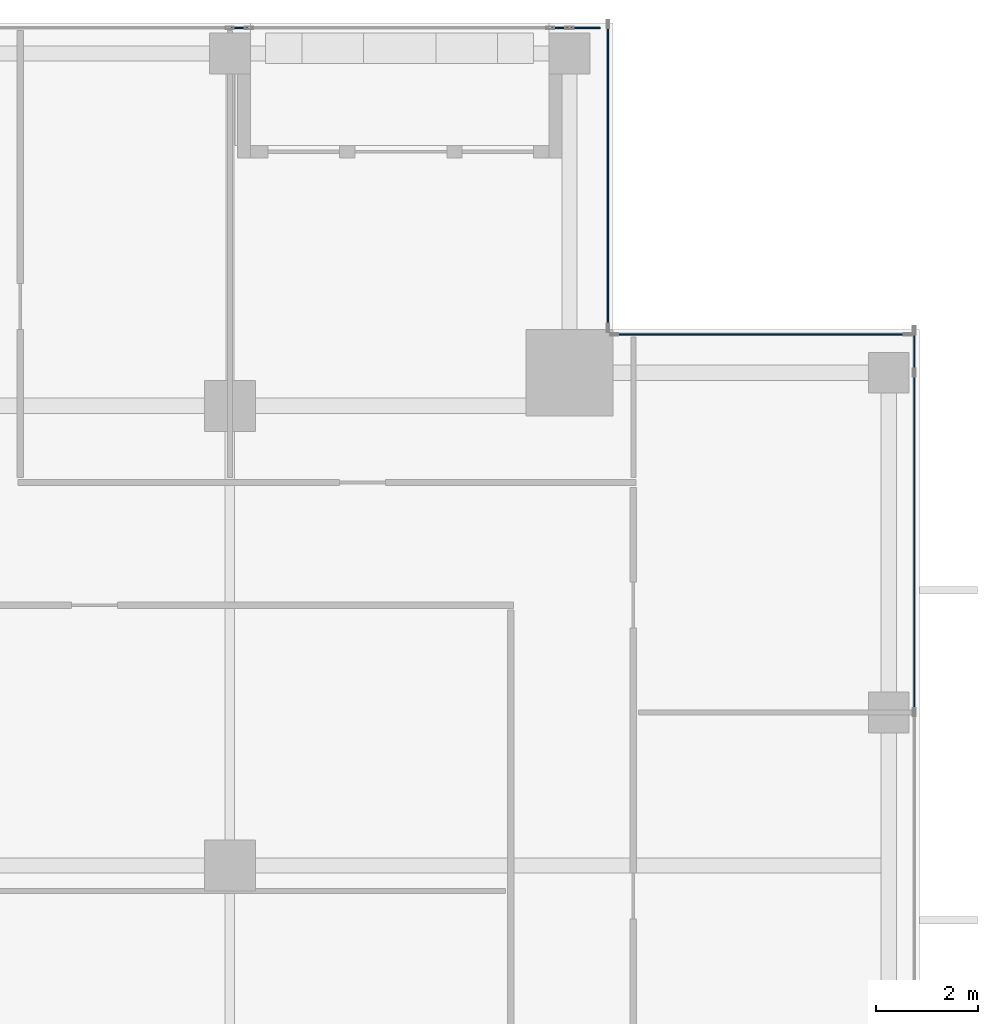
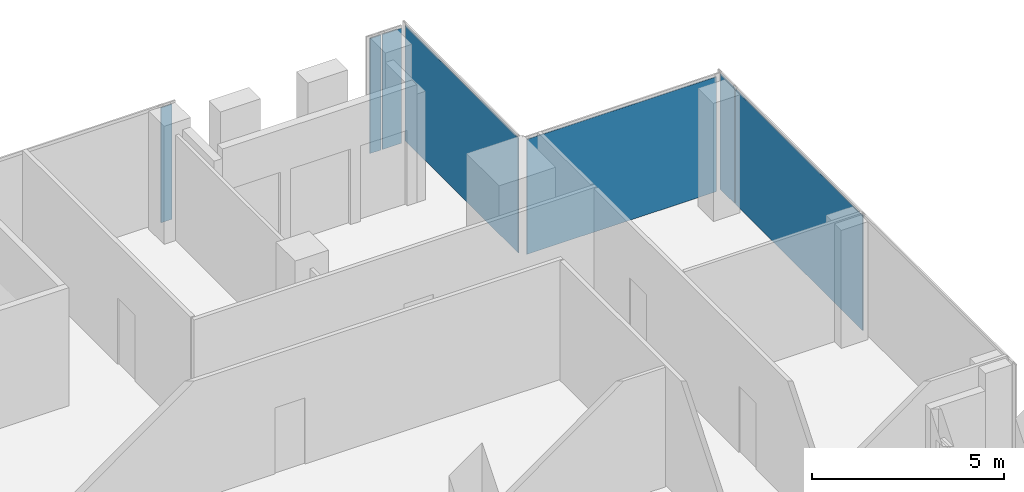
# One storey, part 23 of 29: 7 plates, 5 elements without a shape of their own.
"""IFC4 building model written with IfcOpenShell, lengths in metres."""

from ifc_helpers import new_model, si_unit, direction, frame, origin, origin_2d, place, context, subcontext, project, spatial, rectangle, extrude, source, transform, mapped, material, layer, layer_set, type_object, element, aggregate, save


model = new_model("IFC4")

# Units and contexts
model_context = context("Model", 3, precision=1e-05, world=origin(), true_north=direction((0.0, 1.0)))
body_context = subcontext(model_context, "Body", "Model", "MODEL_VIEW")
ifc_project = project(units=[si_unit("LENGTHUNIT", "METRE"), si_unit("AREAUNIT", "SQUARE_METRE"), si_unit("VOLUMEUNIT", "CUBIC_METRE"), si_unit("PLANEANGLEUNIT", "RADIAN"), si_unit("MASSUNIT", "GRAM", prefix="KILO")], contexts=[model_context])

# Site, building, storey
site_placement = place(None, origin())
site = spatial("IfcSite", under=ifc_project, at=site_placement, CompositionType="ELEMENT")
building_placement = place(site_placement, origin())
building = spatial("IfcBuilding", under=site, at=building_placement, Name="Khomas Fold Tower", CompositionType="ELEMENT")
storey_placement = place(building_placement, frame((0.0, 0.0, 286.199951171875)))
storey = spatial("IfcBuildingStorey", under=building, at=storey_placement, Name="L64", CompositionType="ELEMENT", Elevation=286.199951171875)

# Curtain wall, plate
ifc_material_1 = material(Name="Aluminium framed double glazing", Category="aluminium")
curtain_wall_type = type_object("IfcCurtainWallType", Name="SK-Unitised clear-glass wall, upper floors CW3", PredefinedType="NOTDEFINED", material=ifc_material_1)
curtain_wall_1_placement = place(storey_placement, origin())
curtain_wall_1 = element("IfcCurtainWall", 1, at=curtain_wall_1_placement, inside=storey, type_object=curtain_wall_type, Name="CW3 run L64 06-0", PredefinedType="NOTDEFINED")
ifc_material_2 = material(Name="Clear double glazed unit")
ifc_layer = layer(ifc_material_2, 0.028076171875)
ifc_layer_set = layer_set([ifc_layer], Name="Clear double glazed unit")
plate_type = type_object("IfcPlateType", Name="SK-Unitised clear-glass wall, upper floors glass panel CW3-P", PredefinedType="CURTAIN_PANEL", material=ifc_layer_set)
shared_shape_1 = source(origin(), body_context, "Body", "SweptSolid", [
    extrude(rectangle(XDim=0.574951171875, YDim=0.028076171875, at=origin_2d()), origin(), (0.0, 0.0, 1.0), 3.64990234375),
])
plate_1_placement = place(storey_placement, frame((41.46240234375, 47.89990234375, 0.0), z_axis=(0.0, 0.0, 1.0), x_axis=(-1.0, 0.0, 0.0)))
plate_1 = element("IfcPlate", 2, at=plate_1_placement, type_object=plate_type, Name="CW3 glass panel 1", PredefinedType="CURTAIN_PANEL", context=body_context, shape_type="MappedRepresentation", body=[
    mapped(shared_shape_1, transform((0.0, 0.0, 0.0))),
])

# Curtain wall, plates
curtain_wall_2_placement = place(storey_placement, origin())
curtain_wall_2 = element("IfcCurtainWall", 3, at=curtain_wall_2_placement, inside=storey, type_object=curtain_wall_type, Name="CW3 run L64 03-1", PredefinedType="NOTDEFINED")
shared_shape_2 = source(origin(), body_context, "Body", "SweptSolid", [
    extrude(rectangle(XDim=6.60009765625, YDim=0.028076171875, at=origin_2d()), origin(), (0.0, 0.0, 1.0), 3.64990234375),
])
plate_2_placement = place(storey_placement, frame((47.89990234375, 37.824951171875, 0.0), z_axis=(0.0, 0.0, 1.0), x_axis=(0.0, 1.0, 0.0)))
plate_2 = element("IfcPlate", 4, at=plate_2_placement, type_object=plate_type, Name="CW3 glass panel 3", PredefinedType="CURTAIN_PANEL", context=body_context, shape_type="MappedRepresentation", body=[
    mapped(shared_shape_2, transform((0.0, 0.0, 0.0))),
])
shared_shape_3 = source(origin(), body_context, "Body", "SweptSolid", [
    extrude(rectangle(XDim=0.77490234375, YDim=0.028076171875, at=origin_2d()), origin(), (0.0, 0.0, 1.0), 3.64990234375),
])
plate_3_placement = place(storey_placement, frame((47.89990234375, 41.5625, 0.0), z_axis=(0.0, 0.0, 1.0), x_axis=(0.0, 1.0, 0.0)))
plate_3 = element("IfcPlate", 5, at=plate_3_placement, type_object=plate_type, Name="CW3 glass panel 4", PredefinedType="CURTAIN_PANEL", context=body_context, shape_type="MappedRepresentation", body=[
    mapped(shared_shape_3, transform((0.0, 0.0, 0.0))),
])
aggregate(curtain_wall_2, [plate_2, plate_3])

# Curtain wall, plate
curtain_wall_3_placement = place(storey_placement, origin())
curtain_wall_3 = element("IfcCurtainWall", 6, at=curtain_wall_3_placement, inside=storey, type_object=curtain_wall_type, Name="CW3 corner return L64 04", PredefinedType="NOTDEFINED")
shared_shape_4 = source(origin(), body_context, "Body", "SweptSolid", [
    extrude(rectangle(XDim=5.699951171875, YDim=0.028076171875, at=origin_2d()), origin(), (0.0, 0.0, 1.0), 3.64990234375),
])
plate_4_placement = place(storey_placement, frame((44.89990234375, 41.89990234375, 0.0), z_axis=(0.0, 0.0, 1.0), x_axis=(-1.0, 0.0, 0.0)))
plate_4 = element("IfcPlate", 7, at=plate_4_placement, type_object=plate_type, Name="CW3 glass panel 1", PredefinedType="CURTAIN_PANEL", context=body_context, shape_type="MappedRepresentation", body=[
    mapped(shared_shape_4, transform((0.0, 0.0, 0.0))),
])
aggregate(curtain_wall_3, [plate_4])

curtain_wall_4_placement = place(storey_placement, origin())
curtain_wall_4 = element("IfcCurtainWall", 8, at=curtain_wall_4_placement, inside=storey, type_object=curtain_wall_type, Name="CW3 corner return L64 05", PredefinedType="NOTDEFINED")
shared_shape_5 = source(origin(), body_context, "Body", "SweptSolid", [
    extrude(rectangle(XDim=5.89990234375, YDim=0.028076171875, at=origin_2d()), origin(), (0.0, 0.0, 1.0), 3.64990234375),
])
plate_5_placement = place(storey_placement, frame((41.89990234375, 45.0, 0.0), z_axis=(0.0, 0.0, 1.0), x_axis=(0.0, 1.0, 0.0)))
plate_5 = element("IfcPlate", 9, at=plate_5_placement, type_object=plate_type, Name="CW3 glass panel 1", PredefinedType="CURTAIN_PANEL", context=body_context, shape_type="MappedRepresentation", body=[
    mapped(shared_shape_5, transform((0.0, 0.0, 0.0))),
])
aggregate(curtain_wall_4, [plate_5])

# Plate
shared_shape_6 = source(origin(), body_context, "Body", "SweptSolid", [
    extrude(rectangle(XDim=0.324951171875, YDim=0.028076171875, at=origin_2d()), origin(), (0.0, 0.0, 1.0), 3.64990234375),
])
plate_6_placement = place(storey_placement, frame((40.96240234375, 47.89990234375, 0.0), z_axis=(0.0, 0.0, 1.0), x_axis=(-1.0, 0.0, 0.0)))
plate_6 = element("IfcPlate", 10, at=plate_6_placement, type_object=plate_type, Name="CW3 glass panel 2", PredefinedType="CURTAIN_PANEL", context=body_context, shape_type="MappedRepresentation", body=[
    mapped(shared_shape_6, transform((0.0, 0.0, 0.0))),
])

aggregate(curtain_wall_1, [plate_1, plate_6])

# Curtain wall, plate
curtain_wall_5_placement = place(storey_placement, origin())
curtain_wall_5 = element("IfcCurtainWall", 11, at=curtain_wall_5_placement, inside=storey, type_object=curtain_wall_type, Name="CW3 run L64 06-1", PredefinedType="NOTDEFINED")
plate_7_placement = place(storey_placement, frame((34.6875, 47.89990234375, 0.0), z_axis=(0.0, 0.0, 1.0), x_axis=(-1.0, 0.0, 0.0)))
plate_7 = element("IfcPlate", 12, at=plate_7_placement, type_object=plate_type, Name="CW3 glass panel 1", PredefinedType="CURTAIN_PANEL", context=body_context, shape_type="MappedRepresentation", body=[
    mapped(shared_shape_6, transform((0.0, 0.0, 0.0))),
])
aggregate(curtain_wall_5, [plate_7])

save(model, "model.ifc")
